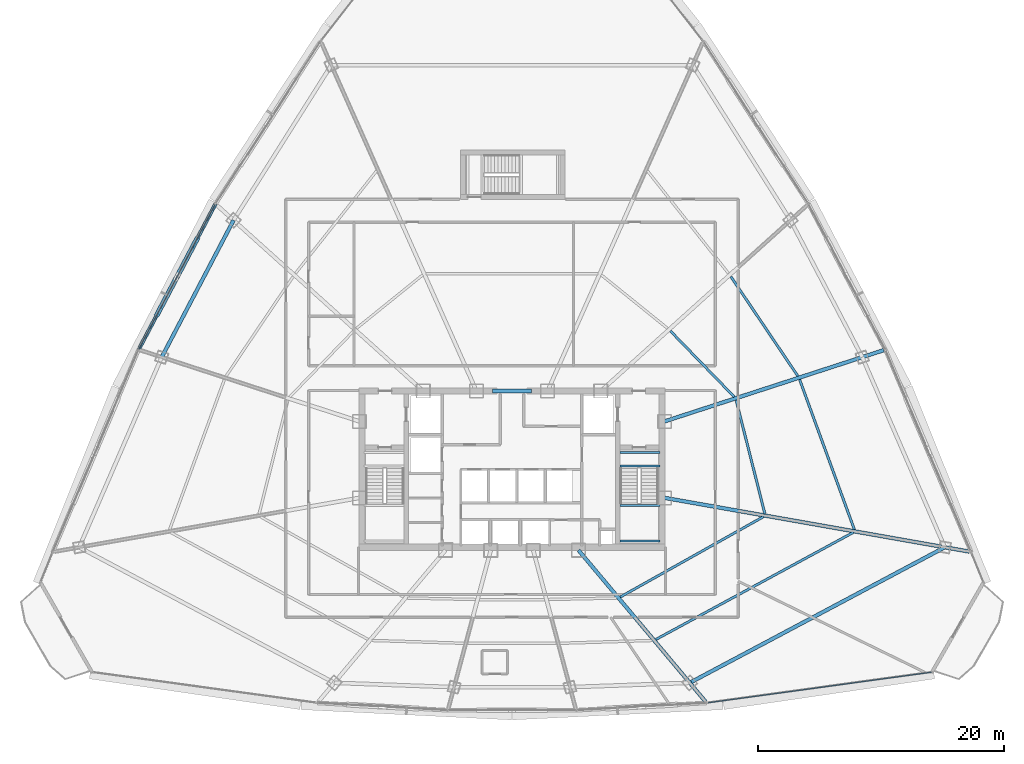
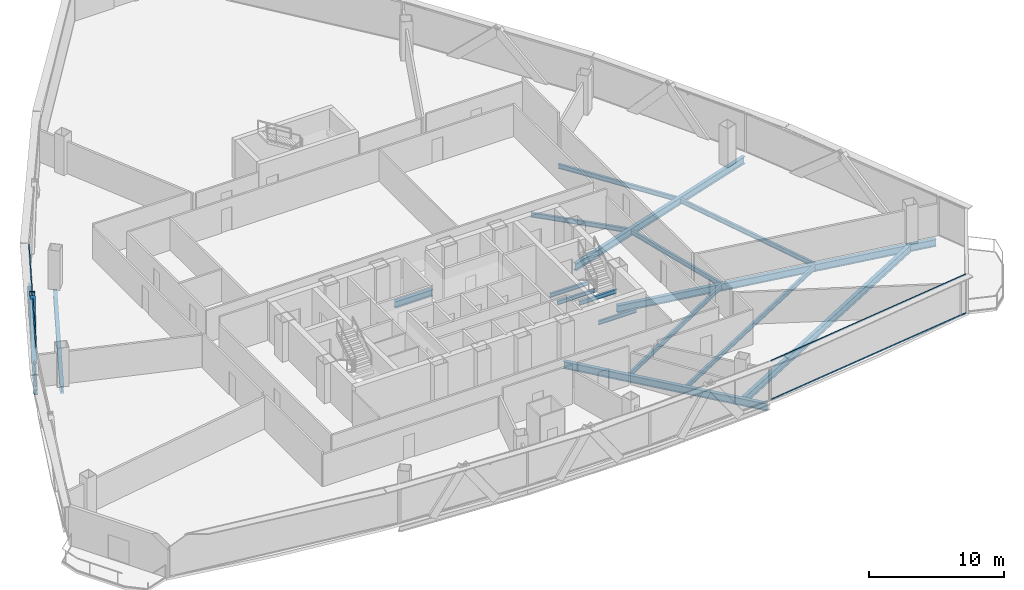
# One storey, part 15 of 37: 17 beams, 6 members, 2 elements without a shape of their own.
"""IFC4 building model written with IfcOpenShell, lengths in metres."""

import ifcopenshell
import ifcopenshell.guid

model = None  # the IFC model being written
_history = None  # IfcOwnerHistory: only IFC2X3 demands one
_inside = {}  # id of a spatial element -> (the spatial element, [elements in it])
_under = {}  # id of a project, library or spatial element -> (it, [spatial elements below it])
_declared = {}  # id of a project -> (the project, [libraries it declares])
_typed = {}  # id of a type object -> (the type object, [elements of that type])
_made_of = {}  # id of a material, layer set ... -> (it, [elements and type objects made of it])


def new_model(schema):
    """Start an empty IFC model of exactly this schema.

    Asked for "IFC4X3", IfcOpenShell would pick the latest addendum, in which some entities
    have other attributes; the version numbers below select the first issue.
    IFC2X3 requires an IfcOwnerHistory on every rooted entity: one is made here for all.
    """
    global model, _history
    if schema == "IFC4X3":
        model = ifcopenshell.file(schema_version=(4, 3, 0, 0))
    else:
        model = ifcopenshell.file(schema=schema)
    _inside.clear()
    _under.clear()
    _declared.clear()
    _typed.clear()
    _made_of.clear()
    _history = None
    if model.schema == "IFC2X3":
        org = make("IfcOrganization", Name="unknown")
        user = make(
            "IfcPersonAndOrganization",
            ThePerson=make("IfcPerson", FamilyName="unknown"),
            TheOrganization=org,
        )
        app = make(
            "IfcApplication",
            ApplicationDeveloper=org,
            Version="unknown",
            ApplicationFullName="unknown",
            ApplicationIdentifier="unknown",
        )
        _history = make(
            "IfcOwnerHistory",
            OwningUser=user,
            OwningApplication=app,
            ChangeAction="ADDED",
            CreationDate=0,
        )
    return model


def make(cls, **values):
    """One entity of the class cls with the attributes given. An attribute that is None is left unset."""
    return model.create_entity(
        cls, **{name: value for name, value in values.items() if value is not None}
    )


def rooted(cls, **values):
    """An entity with a GlobalId (a new one), such as an element, a storey or a relation."""
    return make(cls, GlobalId=ifcopenshell.guid.new(), OwnerHistory=_history, **values)


def si_unit(unit_type, name, prefix=None):
    """IfcSIUnit, for example si_unit("LENGTHUNIT", "METRE", prefix="MILLI")."""
    return make("IfcSIUnit", UnitType=unit_type, Prefix=prefix, Name=name)


def assignment(units):
    """IfcUnitAssignment: the units of a project."""
    return None if units is None else make("IfcUnitAssignment", Units=units)


def point(xyz):
    """IfcCartesianPoint."""
    return None if xyz is None else make("IfcCartesianPoint", Coordinates=xyz)


def direction(xyz):
    """IfcDirection."""
    return None if xyz is None else make("IfcDirection", DirectionRatios=xyz)


def frame(location, z_axis=None, x_axis=None):
    """IfcAxis2Placement3D, a coordinate frame: its origin and axes. An axis left out is left unset."""
    return make(
        "IfcAxis2Placement3D",
        Location=point(location),
        Axis=direction(z_axis),
        RefDirection=direction(x_axis),
    )


def frame_2d(location, x_axis=None):
    """IfcAxis2Placement2D, a coordinate frame in the plane: its origin and x axis."""
    return make(
        "IfcAxis2Placement2D", Location=point(location), RefDirection=direction(x_axis)
    )


def origin():
    """The frame at (0, 0, 0) with its axes left unset."""
    return frame((0.0, 0.0, 0.0))


def origin_2d():
    """The frame at (0, 0) in the plane with its x axis left unset."""
    return frame_2d((0.0, 0.0))


def place(relative_to, where):
    """IfcLocalPlacement: puts the frame where relative to a parent placement (None: the world)."""
    return make(
        "IfcLocalPlacement", PlacementRelTo=relative_to, RelativePlacement=where
    )


def context(
    kind, dimensions, precision=None, world=None, true_north=None, identifier=None
):
    """IfcGeometricRepresentationContext, for example the 3D "Model" context."""
    return make(
        "IfcGeometricRepresentationContext",
        ContextIdentifier=identifier,
        ContextType=kind,
        CoordinateSpaceDimension=dimensions,
        Precision=precision,
        WorldCoordinateSystem=world,
        TrueNorth=true_north,
    )


def subcontext(parent, identifier, kind, view, scale=None):
    """IfcGeometricRepresentationSubContext, for example "Body" below "Model"."""
    return make(
        "IfcGeometricRepresentationSubContext",
        ContextIdentifier=identifier,
        ContextType=kind,
        ParentContext=parent,
        TargetScale=scale,
        TargetView=view,
    )


def project(units=None, contexts=None):
    """IfcProject with its units and contexts."""
    return rooted(
        "IfcProject",
        Name="project",
        RepresentationContexts=contexts,
        UnitsInContext=assignment(units),
    )


def spatial(cls, under=None, at=None, **own):
    """A site, building, storey or space (cls), placed at a placement, below another one or the project."""
    s = rooted(cls, ObjectPlacement=at, **own)
    if under is not None:
        _under.setdefault(under.id(), (under, []))[1].append(s)
    return s


def profile(cls, at=None, kind="AREA", **sizes):
    """A parametric profile (cls). Its sizes go by their IFC names, for example OverallWidth=200.0."""
    return make(cls, ProfileType=kind, Position=at, **sizes)


def hollow_rectangle(**sizes):
    """IfcRectangleHollowProfileDef."""
    return profile("IfcRectangleHollowProfileDef", **sizes)


def i_section(**sizes):
    """IfcIShapeProfileDef."""
    return profile("IfcIShapeProfileDef", **sizes)


def extrude(swept, where, along, depth):
    """IfcExtrudedAreaSolid: the profile swept, set in the frame where, extruded along a direction by depth."""
    return make(
        "IfcExtrudedAreaSolid",
        SweptArea=swept,
        Position=where,
        ExtrudedDirection=direction(along),
        Depth=depth,
    )


def shape(context_of_items, identifier, shape_type, items):
    """IfcShapeRepresentation: the items that make up one representation, for example the "Body"."""
    return make(
        "IfcShapeRepresentation",
        ContextOfItems=context_of_items,
        RepresentationIdentifier=identifier,
        RepresentationType=shape_type,
        Items=items,
    )


def source(mapping_origin, context_of_items, identifier, shape_type, items):
    """IfcRepresentationMap: a shape defined once, which mapped items show again and again."""
    return make(
        "IfcRepresentationMap",
        MappingOrigin=mapping_origin,
        MappedRepresentation=shape(context_of_items, identifier, shape_type, items),
    )


def transform(
    local_origin,
    x_axis=None,
    y_axis=None,
    z_axis=None,
    scale=None,
    scale2=None,
    scale3=None,
    uniform=True,
):
    """IfcCartesianTransformationOperator3D, or its non-uniform kind. x_axis, y_axis, z_axis: its Axis1, 2, 3."""
    if uniform:
        return make(
            "IfcCartesianTransformationOperator3D",
            Axis1=direction(x_axis),
            Axis2=direction(y_axis),
            LocalOrigin=point(local_origin),
            Scale=scale,
            Axis3=direction(z_axis),
        )
    return make(
        "IfcCartesianTransformationOperator3DnonUniform",
        Axis1=direction(x_axis),
        Axis2=direction(y_axis),
        LocalOrigin=point(local_origin),
        Scale=scale,
        Axis3=direction(z_axis),
        Scale2=scale2,
        Scale3=scale3,
    )


def mapped(mapping_source, mapping_target):
    """IfcMappedItem: shows the shape of a source again, moved by a transform."""
    return make(
        "IfcMappedItem", MappingSource=mapping_source, MappingTarget=mapping_target
    )


def material(Name=None, Category=None):
    """IfcMaterial."""
    return make("IfcMaterial", Name=Name, Category=Category)


def layer(
    of_material, thickness, ventilated=None, Name=None, Category=None, Priority=None
):
    """IfcMaterialLayer: one layer of a wall or slab, of a material (None: an air gap)."""
    return make(
        "IfcMaterialLayer",
        Material=of_material,
        LayerThickness=thickness,
        IsVentilated=ventilated,
        Name=Name,
        Category=Category,
        Priority=Priority,
    )


def layer_set(layers, Name=None):
    """IfcMaterialLayerSet."""
    return make("IfcMaterialLayerSet", MaterialLayers=layers, LayerSetName=Name)


def material_profile(
    of_material, cross_section, Name=None, Category=None, Priority=None
):
    """IfcMaterialProfile: a cross section and its material."""
    return make(
        "IfcMaterialProfile",
        Name=Name,
        Material=of_material,
        Profile=cross_section,
        Priority=Priority,
        Category=Category,
    )


def profile_set(profiles, Name=None, composite=None):
    """IfcMaterialProfileSet."""
    return make(
        "IfcMaterialProfileSet",
        Name=Name,
        MaterialProfiles=profiles,
        CompositeProfile=composite,
    )


def made_of(thing, what):
    """Note that an element or type object is made of a material, layer set ...; save() writes the relation."""
    if what is not None:
        _made_of.setdefault(what.id(), (what, []))[1].append(thing)
    return thing


def type_object(cls, material=None, **own):
    """A type object (cls), such as IfcWallType, which elements share."""
    return made_of(rooted(cls, **own), material)


def element(
    cls,
    number,
    at=None,
    inside=None,
    cuts=None,
    type_object=None,
    material=None,
    context=None,
    identifier="Body",
    shape_type=None,
    held_by="IfcProductDefinitionShape",
    body=None,
    shapes=None,
    **own,
):
    """One element of the class cls, such as IfcWall. Its Tag is "e" and its number.

    at: its placement. inside: the storey or other place that contains it. cuts: it is an
    opening in that element (IfcRelVoidsElement). A single representation is given by context,
    identifier, shape_type and body (its items); several are given by shapes. held_by: the class
    of the entity that holds the representations. save() writes the other relations.
    """
    e = rooted(cls, Tag="e%d" % number, ObjectPlacement=at, **own)
    if body is not None:
        shapes = [shape(context, identifier, shape_type, body)]
    if shapes is not None:
        e.Representation = make(held_by, Representations=shapes)
    if inside is not None:
        _inside.setdefault(inside.id(), (inside, []))[1].append(e)
    if cuts is not None:
        rooted(
            "IfcRelVoidsElement", RelatingBuildingElement=cuts, RelatedOpeningElement=e
        )
    if type_object is not None:
        _typed.setdefault(type_object.id(), (type_object, []))[1].append(e)
    return made_of(e, material)


def aggregate(whole, parts):
    """IfcRelAggregates: a whole, such as a stair, and the parts it consists of."""
    return rooted("IfcRelAggregates", RelatingObject=whole, RelatedObjects=parts)


def save(model, path):
    """Write the relations noted so far, then the file.

    IfcRelAggregates (storeys below a building ...), IfcRelContainedInSpatialStructure (elements
    in a storey), IfcRelDefinesByType, IfcRelAssociatesMaterial and IfcRelDeclares: one each for
    every whole, place, type object, material and project.
    """
    for whole, parts in _under.values():
        aggregate(whole, parts)
    for where, things in _inside.values():
        rooted(
            "IfcRelContainedInSpatialStructure",
            RelatedElements=things,
            RelatingStructure=where,
        )
    for kind, things in _typed.values():
        rooted("IfcRelDefinesByType", RelatedObjects=things, RelatingType=kind)
    for what, things in _made_of.values():
        rooted("IfcRelAssociatesMaterial", RelatedObjects=things, RelatingMaterial=what)
    for by, libraries in _declared.values():
        rooted("IfcRelDeclares", RelatingContext=by, RelatedDefinitions=libraries)
    model.write(path)


model = new_model("IFC4")

# Units and contexts
model_context = context("Model", 3, precision=1e-05, world=origin(), true_north=direction((0.0, 1.0)))
body_context = subcontext(model_context, "Body", "Model", "MODEL_VIEW")
ifc_project = project(units=[si_unit("LENGTHUNIT", "METRE"), si_unit("AREAUNIT", "SQUARE_METRE"), si_unit("VOLUMEUNIT", "CUBIC_METRE"), si_unit("PLANEANGLEUNIT", "RADIAN"), si_unit("MASSUNIT", "GRAM", prefix="KILO"), si_unit("THERMODYNAMICTEMPERATUREUNIT", "KELVIN"), si_unit("POWERUNIT", "WATT")], contexts=[model_context])

# Site, building, storey
site_placement = place(None, origin())
site = spatial("IfcSite", under=ifc_project, at=site_placement, CompositionType="ELEMENT")
building_placement = place(site_placement, origin())
building = spatial("IfcBuilding", under=site, at=building_placement, Name="Yunzhuo Pagoda Commons", CompositionType="ELEMENT")
storey_placement = place(building_placement, frame((0.0, 0.0, 196.159912109375)))
storey = spatial("IfcBuildingStorey", under=building, at=storey_placement, Name="L49", CompositionType="ELEMENT", Elevation=196.159912109375)

# Beams
ifc_material_1 = material(Name="Structural steel Q355B", Category="steel")
ifc_material_profile_1 = material_profile(ifc_material_1, i_section(OverallWidth=0.175048828125, OverallDepth=0.35009765625, WebThickness=0.007080078125, FlangeThickness=0.010986328125, at=origin_2d()), Name="Structural steel Q355B")
ifc_profile_set_1 = profile_set([ifc_material_profile_1], Name="Structural steel Q355B")
beam_type_1 = type_object("IfcBeamType", Name="B-JS2 Joist HN 350x175x7x11", PredefinedType="JOIST", material=ifc_profile_set_1)
shared_shape_1 = source(origin(), body_context, "Body", "SweptSolid", [
    extrude(i_section(OverallWidth=0.175048828125, OverallDepth=0.35009765625, WebThickness=0.007080078125, FlangeThickness=0.010986328125, at=origin_2d()), origin(), (0.0, 0.0, 1.0), 3.25),
])
for number, where, z_axis, x_axis, name in (
    (1, (56.800048828125, 28.0, 1.525146484375), (1.0, 0.0, 0.0), (0.0, 1.0, 0.0), "L49 ST2 landing support beam 55A"),
    (2, (56.800048828125, 30.89990234375, 1.525146484375), (1.0, 0.0, 0.0), (0.0, 1.0, 0.0), "L49 ST2 landing support beam 55B"),
    (3, (56.800048828125, 34.10009765625, -0.375), (1.0, 0.0, 0.0), (0.0, 1.0, 0.0), "L49 ST2 landing support beam 153A"),
    (4, (56.800048828125, 35.199951171875, -0.375), (1.0, 0.0, 0.0), (0.0, 1.0, 0.0), "L49 ST2 landing support beam 153B"),
):
    element("IfcBeam", number, at=place(storey_placement, frame(where, z_axis=z_axis, x_axis=x_axis)), inside=storey, type_object=beam_type_1, Name=name, PredefinedType="JOIST", context=body_context, shape_type="MappedRepresentation", body=[
        mapped(shared_shape_1, transform((0.0, 0.0, 0.0), scale=1.0)),
    ])
ifc_material_2 = material(Name="Structural steel Q420B", Category="steel")
ifc_material_profile_2 = material_profile(ifc_material_2, i_section(OverallWidth=0.300048828125, OverallDepth=0.587890625, WebThickness=0.011962890625, FlangeThickness=0.02001953125, at=origin_2d()), Name="Structural steel Q420B")
ifc_profile_set_2 = profile_set([ifc_material_profile_2], Name="Structural steel Q420B")
beam_type_2 = type_object("IfcBeamType", Name="B-CPL Beam HM 588x300x12x20", PredefinedType="BEAM", material=ifc_profile_set_2)
shared_shape_2 = source(origin(), body_context, "Body", "SweptSolid", [
    extrude(i_section(OverallWidth=0.300048828125, OverallDepth=0.587890625, WebThickness=0.011962890625, FlangeThickness=0.02001953125, at=origin_2d()), origin(), (0.0, 0.0, 1.0), 3.2001953125),
])
beam_1_placement = place(storey_placement, frame((46.39990234375, 40.199951171875, -0.553955078125), z_axis=(1.0, 0.0, 0.0), x_axis=(0.0, 1.0, 0.0)))
element("IfcBeam", 5, at=beam_1_placement, inside=storey, type_object=beam_type_2, Name="L49 core coupling girder", PredefinedType="BEAM", context=body_context, shape_type="MappedRepresentation", body=[
    mapped(shared_shape_2, transform((0.0, 0.0, 0.0), scale=1.0)),
])
ifc_material_profile_3 = material_profile(ifc_material_1, i_section(OverallWidth=0.300048828125, OverallDepth=0.64990234375, WebThickness=0.012939453125, FlangeThickness=0.02197265625, at=origin_2d()), Name="Structural steel Q355B")
ifc_profile_set_3 = profile_set([ifc_material_profile_3], Name="Structural steel Q355B")
beam_type_3 = type_object("IfcBeamType", Name="B-RG2 Beam HN 650x300x13x22", PredefinedType="BEAM", material=ifc_profile_set_3)
shared_shape_3 = source(origin(), body_context, "Body", "SweptSolid", [
    extrude(i_section(OverallWidth=0.300048828125, OverallDepth=0.64990234375, WebThickness=0.012939453125, FlangeThickness=0.02197265625, at=origin_2d()), origin(), (0.0, 0.0, 1.0), 23.49365234375),
])
beam_2_placement = place(storey_placement, frame((62.461181640625, 16.4658203125, -0.5849609375), z_axis=(0.883016269865, 0.469342377325, 0.0), x_axis=(-0.469342377325, 0.883016269865, 0.0)))
element("IfcBeam", 6, at=beam_2_placement, inside=storey, type_object=beam_type_3, Name="L49 column-ring beam 4", PredefinedType="BEAM", context=body_context, shape_type="MappedRepresentation", body=[
    mapped(shared_shape_3, transform((0.0, 0.0, 0.0), scale=1.0)),
])
shared_shape_4 = source(origin(), body_context, "Body", "SweptSolid", [
    extrude(i_section(OverallWidth=0.300048828125, OverallDepth=0.64990234375, WebThickness=0.012939453125, FlangeThickness=0.02197265625, at=origin_2d()), origin(), (0.0, 0.0, 1.0), 12.576416015625),
])
beam_3_placement = place(storey_placement, frame((25.349365234375, 54.0947265625, -0.5849609375), z_axis=(-0.464676385233, -0.885480579689, 0.0), x_axis=(0.885480579689, -0.464676385233, 0.0)))
element("IfcBeam", 7, at=beam_3_placement, inside=storey, type_object=beam_type_3, Name="L49 column-ring beam 10", PredefinedType="BEAM", context=body_context, shape_type="MappedRepresentation", body=[
    mapped(shared_shape_4, transform((0.0, 0.0, 0.0), scale=1.0)),
])
ifc_material_profile_4 = material_profile(ifc_material_1, i_section(OverallWidth=0.199951171875, OverallDepth=0.39990234375, WebThickness=0.008056640625, FlangeThickness=0.012939453125, at=origin_2d()), Name="Structural steel Q355B")
ifc_profile_set_4 = profile_set([ifc_material_profile_4], Name="Structural steel Q355B")
beam_type_4 = type_object("IfcBeamType", Name="B-JS1 Joist HN 400x200x8x13", PredefinedType="JOIST", material=ifc_profile_set_4)
shared_shape_5 = source(origin(), body_context, "Body", "SweptSolid", [
    extrude(i_section(OverallWidth=0.199951171875, OverallDepth=0.39990234375, WebThickness=0.008056640625, FlangeThickness=0.012939453125, at=origin_2d()), origin(), (0.0, 0.0, 1.0), 13.372802734375),
])
beam_4_placement = place(storey_placement, frame((56.80859375, 23.445556640625, -0.4599609375), z_axis=(0.872150261016, 0.4892381038, 0.0), x_axis=(-0.4892381038, 0.872150261016, 0.0)))
element("IfcBeam", 8, at=beam_4_placement, inside=storey, type_object=beam_type_4, Name="L49 composite ring joist 1.4", PredefinedType="JOIST", context=body_context, shape_type="MappedRepresentation", body=[
    mapped(shared_shape_5, transform((0.0, 0.0, 0.0), scale=1.0)),
])
shared_shape_6 = source(origin(), body_context, "Body", "SweptSolid", [
    extrude(i_section(OverallWidth=0.199951171875, OverallDepth=0.39990234375, WebThickness=0.008056640625, FlangeThickness=0.012939453125, at=origin_2d()), origin(), (0.0, 0.0, 1.0), 18.27294921875),
])
beam_5_placement = place(storey_placement, frame((59.705322265625, 19.992431640625, -0.4599609375), z_axis=(0.879067821824, 0.476696721861, 0.0), x_axis=(-0.476696721861, 0.879067821824, 0.0)))
element("IfcBeam", 9, at=beam_5_placement, inside=storey, type_object=beam_type_4, Name="L49 composite ring joist 2.4", PredefinedType="JOIST", context=body_context, shape_type="MappedRepresentation", body=[
    mapped(shared_shape_6, transform((0.0, 0.0, 0.0), scale=1.0)),
])
shared_shape_7 = source(origin(), body_context, "Body", "SweptSolid", [
    extrude(i_section(OverallWidth=0.199951171875, OverallDepth=0.39990234375, WebThickness=0.008056640625, FlangeThickness=0.012939453125, at=origin_2d()), origin(), (0.0, 0.0, 1.0), 9.529052734375),
])
beam_6_placement = place(storey_placement, frame((68.5712890625, 30.219970703125, -0.4599609375), z_axis=(-0.245367921097, 0.969430030119, 0.0), x_axis=(-0.969430030119, -0.245367921097, 0.0)))
element("IfcBeam", 10, at=beam_6_placement, inside=storey, type_object=beam_type_4, Name="L49 composite ring joist 1.5", PredefinedType="JOIST", context=body_context, shape_type="MappedRepresentation", body=[
    mapped(shared_shape_7, transform((0.0, 0.0, 0.0), scale=1.0)),
])
shared_shape_8 = source(origin(), body_context, "Body", "SweptSolid", [
    extrude(i_section(OverallWidth=0.199951171875, OverallDepth=0.39990234375, WebThickness=0.008056640625, FlangeThickness=0.012939453125, at=origin_2d()), origin(), (0.0, 0.0, 1.0), 12.994873046875),
])
beam_7_placement = place(storey_placement, frame((75.85400390625, 28.928466796875, -0.4599609375), z_axis=(-0.342834977914, 0.939395645039, 0.0), x_axis=(-0.939395645039, -0.342834977914, 0.0)))
element("IfcBeam", 11, at=beam_7_placement, inside=storey, type_object=beam_type_4, Name="L49 composite ring joist 2.5", PredefinedType="JOIST", context=body_context, shape_type="MappedRepresentation", body=[
    mapped(shared_shape_8, transform((0.0, 0.0, 0.0), scale=1.0)),
])
shared_shape_9 = source(origin(), body_context, "Body", "SweptSolid", [
    extrude(i_section(OverallWidth=0.199951171875, OverallDepth=0.39990234375, WebThickness=0.008056640625, FlangeThickness=0.012939453125, at=origin_2d()), origin(), (0.0, 0.0, 1.0), 7.46826171875),
])
beam_8_placement = place(storey_placement, frame((66.08349609375, 39.725830078125, -0.4599609375), z_axis=(-0.696070782679, 0.717973164889, 0.0), x_axis=(-0.717973164889, -0.696070782679, 0.0)))
element("IfcBeam", 12, at=beam_8_placement, inside=storey, type_object=beam_type_4, Name="L49 composite ring joist 1.6", PredefinedType="JOIST", context=body_context, shape_type="MappedRepresentation", body=[
    mapped(shared_shape_9, transform((0.0, 0.0, 0.0), scale=1.0)),
])
shared_shape_10 = source(origin(), body_context, "Body", "SweptSolid", [
    extrude(i_section(OverallWidth=0.199951171875, OverallDepth=0.39990234375, WebThickness=0.008056640625, FlangeThickness=0.012939453125, at=origin_2d()), origin(), (0.0, 0.0, 1.0), 9.764892578125),
])
beam_9_placement = place(storey_placement, frame((71.255615234375, 41.4169921875, -0.4599609375), z_axis=(-0.558548425455, 0.829471914185, 0.0), x_axis=(-0.829471914185, -0.558548425455, 0.0)))
element("IfcBeam", 13, at=beam_9_placement, inside=storey, type_object=beam_type_4, Name="L49 composite ring joist 2.6", PredefinedType="JOIST", context=body_context, shape_type="MappedRepresentation", body=[
    mapped(shared_shape_10, transform((0.0, 0.0, 0.0), scale=1.0)),
])
shared_shape_11 = source(origin(), body_context, "Body", "SweptSolid", [
    extrude(i_section(OverallWidth=0.300048828125, OverallDepth=0.64990234375, WebThickness=0.012939453125, FlangeThickness=0.02197265625, at=origin_2d()), origin(), (0.0, 0.0, 1.0), 16.0595703125),
])
beam_10_placement = place(storey_placement, frame((63.735107421875, 14.94775390625, -0.5849609375), z_axis=(-0.64279447514, 0.766038682267, 0.0), x_axis=(-0.766038682267, -0.64279447514, 0.0)))
element("IfcBeam", 14, at=beam_10_placement, inside=storey, type_object=beam_type_3, Name="L49 radial floor girder F1C4", PredefinedType="BEAM", context=body_context, shape_type="MappedRepresentation", body=[
    mapped(shared_shape_11, transform((0.0, 0.0, 0.0), scale=1.0)),
])
shared_shape_12 = source(origin(), body_context, "Body", "SweptSolid", [
    extrude(i_section(OverallWidth=0.300048828125, OverallDepth=0.64990234375, WebThickness=0.012939453125, FlangeThickness=0.02197265625, at=origin_2d()), origin(), (0.0, 0.0, 1.0), 25.183349609375),
])
beam_11_placement = place(storey_placement, frame((85.20068359375, 27.140380859375, -0.5849609375), z_axis=(-0.984807753026, 0.173648177589, 0.0), x_axis=(-0.173648177589, -0.984807753026, 0.0)))
element("IfcBeam", 15, at=beam_11_placement, inside=storey, type_object=beam_type_3, Name="L49 radial floor girder F2C1", PredefinedType="BEAM", context=body_context, shape_type="MappedRepresentation", body=[
    mapped(shared_shape_12, transform((0.0, 0.0, 0.0), scale=1.0)),
])
shared_shape_13 = source(origin(), body_context, "Body", "SweptSolid", [
    extrude(i_section(OverallWidth=0.300048828125, OverallDepth=0.64990234375, WebThickness=0.012939453125, FlangeThickness=0.02197265625, at=origin_2d()), origin(), (0.0, 0.0, 1.0), 18.746337890625),
])
beam_12_placement = place(storey_placement, frame((78.228759765625, 43.52197265625, -0.5849609375), z_axis=(-0.951056174336, -0.309018046814, 0.0), x_axis=(0.309018046814, -0.951056174336, 0.0)))
element("IfcBeam", 16, at=beam_12_placement, inside=storey, type_object=beam_type_3, Name="L49 radial floor girder F2C2", PredefinedType="BEAM", context=body_context, shape_type="MappedRepresentation", body=[
    mapped(shared_shape_13, transform((0.0, 0.0, 0.0), scale=1.0)),
])
ifc_material_profile_5 = material_profile(ifc_material_1, i_section(OverallWidth=0.300048828125, OverallDepth=0.488037109375, WebThickness=0.010986328125, FlangeThickness=0.01806640625, at=origin_2d()), Name="Structural steel Q355B")
ifc_profile_set_5 = profile_set([ifc_material_profile_5], Name="Structural steel Q355B")
beam_type_5 = type_object("IfcBeamType", Name="B-SP1 Beam HM 488x300x11x18", PredefinedType="BEAM", material=ifc_profile_set_5)
shared_shape_14 = source(origin(), body_context, "Body", "SweptSolid", [
    extrude(i_section(OverallWidth=0.300048828125, OverallDepth=0.488037109375, WebThickness=0.010986328125, FlangeThickness=0.01806640625, at=origin_2d()), origin(), (0.0, 0.0, 1.0), 13.399658203125),
])
beam_13_placement = place(storey_placement, frame((23.875732421875, 55.421630859375, -0.50390625), z_axis=(-0.466573749972, -0.884482298204, 0.0), x_axis=(0.884482298204, -0.466573749972, 0.0)))
element("IfcBeam", 17, at=beam_13_placement, inside=storey, type_object=beam_type_5, Name="L49 facade edge spandrel beam F3.2", PredefinedType="BEAM", context=body_context, shape_type="MappedRepresentation", body=[
    mapped(shared_shape_14, transform((0.0, 0.0, 0.0), scale=1.0)),
])

# Members
ifc_material_profile_6 = material_profile(ifc_material_1, hollow_rectangle(XDim=0.39990234375, YDim=0.719970703125, WallThickness=0.02392578125, at=origin_2d()), Name="Structural steel Q355B")
ifc_profile_set_6 = profile_set([ifc_material_profile_6], Name="Structural steel Q355B")
member_type_1 = type_object("IfcMemberType", Name="M-DL2 Brace BOX 720x400x24", PredefinedType="BRACE", material=ifc_profile_set_6)
shared_shape_15 = source(origin(), body_context, "Body", "SweptSolid", [
    extrude(hollow_rectangle(XDim=0.39990234375, YDim=0.719970703125, WallThickness=0.02392578125, at=origin_2d()), origin(), (0.0, 0.0, 1.0), 5.065673828125),
])
member_1_placement = place(storey_placement, frame((22.312744140625, 52.45849609375, -0.260009765625), z_axis=(-0.30854783788, -0.584852860461, 0.750163557732), x_axis=(0.884462464322, -0.466611347061, 0.0)))
element("IfcMember", 18, at=member_1_placement, inside=storey, type_object=member_type_1, Name="L49 facade diamond brace F3.2L", PredefinedType="BRACE", context=body_context, shape_type="MappedRepresentation", body=[
    mapped(shared_shape_15, transform((0.0, 0.0, 0.0), scale=1.0)),
])
shared_shape_16 = source(origin(), body_context, "Body", "SweptSolid", [
    extrude(hollow_rectangle(XDim=0.39990234375, YDim=0.719970703125, WallThickness=0.02392578125, at=origin_2d()), origin(), (0.0, 0.0, 1.0), 5.06591796875),
])
member_2_placement = place(storey_placement, frame((19.186767578125, 46.53271484375, -0.260009765625), z_axis=(0.308530443658, 0.584916275331, 0.750121267655), x_axis=(-0.884494196233, 0.466551194223, 0.0)))
element("IfcMember", 19, at=member_2_placement, inside=storey, type_object=member_type_1, Name="L49 facade diamond brace F3.2R", PredefinedType="BRACE", context=body_context, shape_type="MappedRepresentation", body=[
    mapped(shared_shape_16, transform((0.0, 0.0, 0.0), scale=1.0)),
])

# Curtain wall, members
ifc_material_3 = material(Name="Anodized aluminium 6063-T6", Category="aluminium")
ifc_layer = layer(ifc_material_3, 0.14990234375)
ifc_layer_set = layer_set([ifc_layer], Name="Anodized aluminium 6063-T6")
curtain_wall_type = type_object("IfcCurtainWallType", Name="CW-MID Mid-Zone Ribbon Curtain Wall", PredefinedType="NOTDEFINED", material=ifc_layer_set)
curtain_wall_1_placement = place(storey_placement, origin())
curtain_wall_1 = element("IfcCurtainWall", 20, at=curtain_wall_1_placement, inside=storey, type_object=curtain_wall_type, Name="L49 curtain wall CW-L49-F1B5", PredefinedType="NOTDEFINED")
ifc_material_profile_7 = material_profile(ifc_material_3, hollow_rectangle(XDim=0.054931640625, YDim=0.1298828125, WallThickness=0.00341796875, at=origin_2d()), Name="Anodized aluminium 6063-T6")
ifc_profile_set_7 = profile_set([ifc_material_profile_7], Name="Anodized aluminium 6063-T6")
member_type_2 = type_object("IfcMemberType", Name="CW-MID-T Transom RHS 130x55x3.5", PredefinedType="USERDEFINED", material=ifc_profile_set_7)
shared_shape_17 = source(origin(), body_context, "Body", "SweptSolid", [
    extrude(hollow_rectangle(XDim=0.054931640625, YDim=0.1298828125, WallThickness=0.00341796875, at=origin_2d()), origin(), (0.0, 0.0, 1.0), 18.307861328125),
])
member_3_placement = place(storey_placement, frame((63.968505859375, 14.84716796875, 0.027587890625), z_axis=(0.990802800825, 0.13531374608, 0.0), x_axis=(-0.13531374608, 0.990802800825, 0.0)))
member_3 = element("IfcMember", 21, at=member_3_placement, type_object=member_type_2, Name="CW transom 1.1", ObjectType="TRANSOM", PredefinedType="USERDEFINED", context=body_context, shape_type="MappedRepresentation", body=[
    mapped(shared_shape_17, transform((0.0, 0.0, 0.0), scale=1.0)),
])
member_4_placement = place(storey_placement, frame((63.968505859375, 14.84716796875, 3.5126953125), z_axis=(0.990802800825, 0.13531374608, 0.0), x_axis=(-0.13531374608, 0.990802800825, 0.0)))
member_4 = element("IfcMember", 22, at=member_4_placement, type_object=member_type_2, Name="CW transom 1.2", ObjectType="TRANSOM", PredefinedType="USERDEFINED", context=body_context, shape_type="MappedRepresentation", body=[
    mapped(shared_shape_17, transform((0.0, 0.0, 0.0), scale=1.0)),
])
aggregate(curtain_wall_1, [member_3, member_4])

curtain_wall_2_placement = place(storey_placement, origin())
curtain_wall_2 = element("IfcCurtainWall", 23, at=curtain_wall_2_placement, inside=storey, type_object=curtain_wall_type, Name="L49 curtain wall CW-L49-F3B3", PredefinedType="NOTDEFINED")
shared_shape_18 = source(origin(), body_context, "Body", "SweptSolid", [
    extrude(hollow_rectangle(XDim=0.054931640625, YDim=0.1298828125, WallThickness=0.00341796875, at=origin_2d()), origin(), (0.0, 0.0, 1.0), 13.27978515625),
])
member_5_placement = place(storey_placement, frame((23.84765625, 55.36865234375, 0.027587890625), z_axis=(-0.466544115996, -0.884497929805, 0.0), x_axis=(0.884497929805, -0.466544115996, 0.0)))
member_5 = element("IfcMember", 24, at=member_5_placement, type_object=member_type_2, Name="CW transom 1.1", ObjectType="TRANSOM", PredefinedType="USERDEFINED", context=body_context, shape_type="MappedRepresentation", body=[
    mapped(shared_shape_18, transform((0.0, 0.0, 0.0), scale=1.0)),
])
member_6_placement = place(storey_placement, frame((23.84765625, 55.36865234375, 3.5126953125), z_axis=(-0.466544115996, -0.884497929805, 0.0), x_axis=(0.884497929805, -0.466544115996, 0.0)))
member_6 = element("IfcMember", 25, at=member_6_placement, type_object=member_type_2, Name="CW transom 1.2", ObjectType="TRANSOM", PredefinedType="USERDEFINED", context=body_context, shape_type="MappedRepresentation", body=[
    mapped(shared_shape_18, transform((0.0, 0.0, 0.0), scale=1.0)),
])
aggregate(curtain_wall_2, [member_5, member_6])

save(model, "model.ifc")
